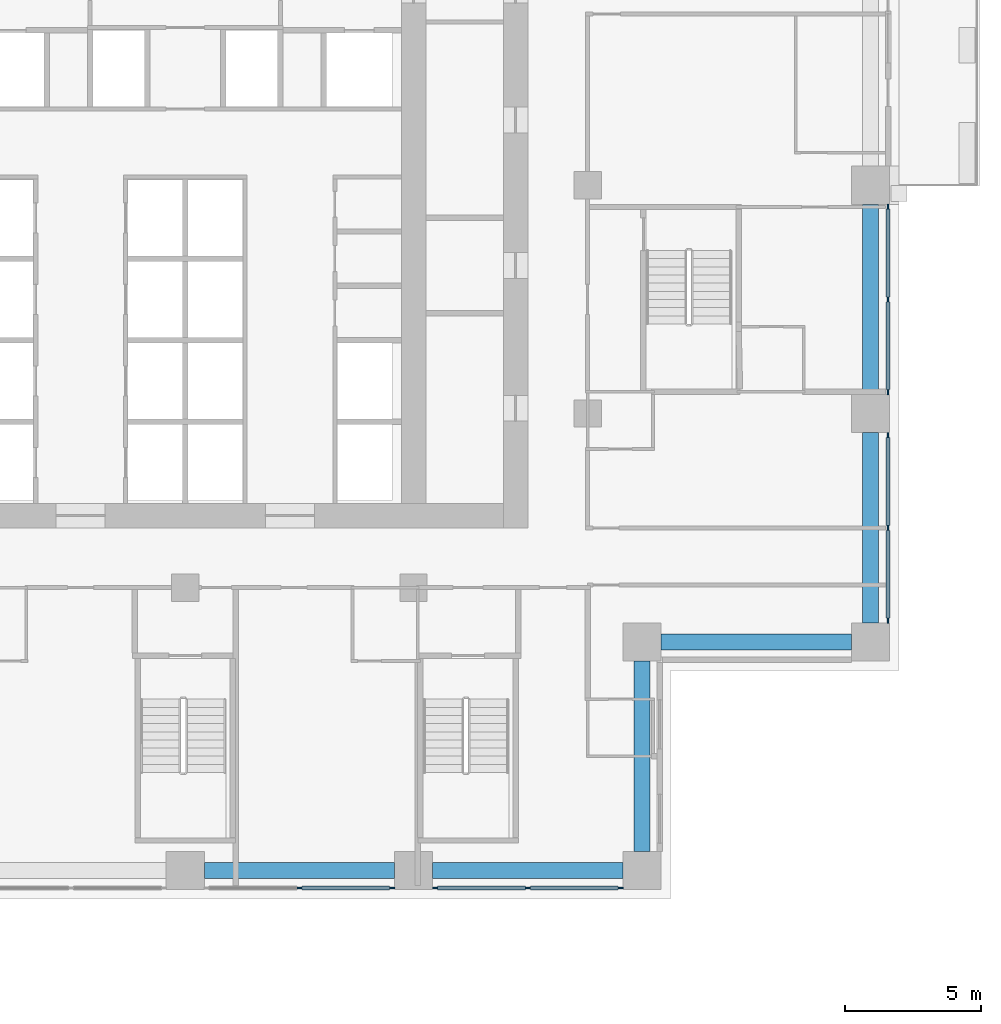
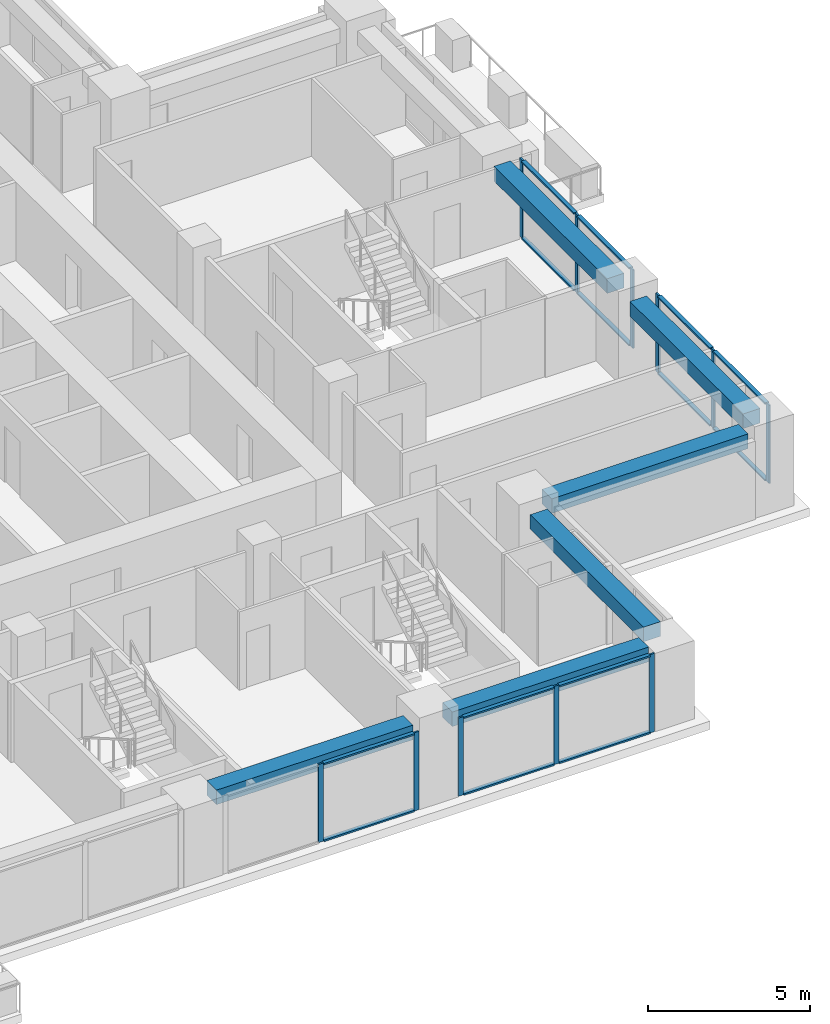
# One storey, part 4 of 16: 25 members, 6 beams, 4 elements without a shape of their own.
"""IFC4 building model written with IfcOpenShell, lengths in metres."""

from ifc_helpers import new_model, si_unit, direction, frame, origin, origin_2d, place, context, subcontext, project, spatial, rectangle, extrude, material, material_profile, profile_set, type_object, element, aggregate, save


model = new_model("IFC4")

# Units and contexts
model_context = context("Model", 3, precision=1e-05, world=origin(), true_north=direction((0.0, 1.0)))
body_context = subcontext(model_context, "Body", "Model", "MODEL_VIEW")
ifc_project = project(units=[si_unit("LENGTHUNIT", "METRE"), si_unit("AREAUNIT", "SQUARE_METRE"), si_unit("VOLUMEUNIT", "CUBIC_METRE"), si_unit("PLANEANGLEUNIT", "RADIAN"), si_unit("MASSUNIT", "GRAM", prefix="KILO")], contexts=[model_context])

# Site, building, storey
site_placement = place(None, origin())
site = spatial("IfcSite", under=ifc_project, at=site_placement, CompositionType="ELEMENT")
building_placement = place(site_placement, origin())
building = spatial("IfcBuilding", under=site, at=building_placement, Name="Vermilion Ogive Tower", CompositionType="ELEMENT")
storey_placement = place(building_placement, frame((0.0, 0.0, 72.449951171875)))
storey = spatial("IfcBuildingStorey", under=building, at=storey_placement, Name="L17", CompositionType="ELEMENT", Elevation=72.449951171875)

# Curtain wall, members
ifc_material_1 = material(Name="Low-iron laminated glazing in aluminium frame", Category="aluminium")
curtain_wall_type = type_object("IfcCurtainWallType", Name="Curtain wall CW7", PredefinedType="NOTDEFINED", material=ifc_material_1)
curtain_wall_1_placement = place(storey_placement, origin())
curtain_wall_1 = element("IfcCurtainWall", 1, at=curtain_wall_1_placement, inside=storey, type_object=curtain_wall_type, Name="Glazed skin S3", PredefinedType="NOTDEFINED")
ifc_material_2 = material(Name="Aluminium mullion", Category="aluminium")
ifc_material_profile_1 = material_profile(ifc_material_2, rectangle(XDim=0.06005859375, YDim=0.179931640625, at=origin_2d()), Name="AL 60x180")
ifc_profile_set_1 = profile_set([ifc_material_profile_1], Name="Aluminium mullion")
member_type_1 = type_object("IfcMemberType", Name="CW7 mullion 60x180", PredefinedType="MULLION", material=ifc_profile_set_1)
member_1_placement = place(storey_placement, frame((4.199951171875, -21.64990234375, 0.0), z_axis=(0.0, 0.0, 1.0), x_axis=(0.0, 1.0, 0.0)))
member_1 = element("IfcMember", 2, at=member_1_placement, type_object=member_type_1, Name="CW7-S3 mullion 2", PredefinedType="MULLION", context=body_context, shape_type="SweptSolid", body=[
    extrude(rectangle(XDim=0.06005859375, YDim=0.179931640625, at=origin_2d()), origin(), (0.0, 0.0, 1.0), 2.949951171875),
])
member_2_placement = place(storey_placement, frame((7.610107421875, -21.64990234375, 0.0), z_axis=(0.0, 0.0, 1.0), x_axis=(0.0, 1.0, 0.0)))
member_2 = element("IfcMember", 3, at=member_2_placement, type_object=member_type_1, Name="CW7-S3 mullion 3", PredefinedType="MULLION", context=body_context, shape_type="SweptSolid", body=[
    extrude(rectangle(XDim=0.06005859375, YDim=0.179931640625, at=origin_2d()), origin(), (0.0, 0.0, 1.0), 2.949951171875),
])

curtain_wall_2_placement = place(storey_placement, origin())
curtain_wall_2 = element("IfcCurtainWall", 4, at=curtain_wall_2_placement, inside=storey, type_object=curtain_wall_type, Name="Glazed skin S4", PredefinedType="NOTDEFINED")
member_3_placement = place(storey_placement, frame((9.18994140625, -21.64990234375, 0.0), z_axis=(0.0, 0.0, 1.0), x_axis=(0.0, 1.0, 0.0)))
member_3 = element("IfcMember", 5, at=member_3_placement, type_object=member_type_1, Name="CW7-S4 mullion 1", PredefinedType="MULLION", context=body_context, shape_type="SweptSolid", body=[
    extrude(rectangle(XDim=0.06005859375, YDim=0.179931640625, at=origin_2d()), origin(), (0.0, 0.0, 1.0), 2.949951171875),
])
member_4_placement = place(storey_placement, frame((12.60009765625, -21.64990234375, 0.0), z_axis=(0.0, 0.0, 1.0), x_axis=(0.0, 1.0, 0.0)))
member_4 = element("IfcMember", 6, at=member_4_placement, type_object=member_type_1, Name="CW7-S4 mullion 2", PredefinedType="MULLION", context=body_context, shape_type="SweptSolid", body=[
    extrude(rectangle(XDim=0.06005859375, YDim=0.179931640625, at=origin_2d()), origin(), (0.0, 0.0, 1.0), 2.949951171875),
])
member_5_placement = place(storey_placement, frame((16.010009765625, -21.64990234375, 0.0), z_axis=(0.0, 0.0, 1.0), x_axis=(0.0, 1.0, 0.0)))
member_5 = element("IfcMember", 7, at=member_5_placement, type_object=member_type_1, Name="CW7-S4 mullion 3", PredefinedType="MULLION", context=body_context, shape_type="SweptSolid", body=[
    extrude(rectangle(XDim=0.06005859375, YDim=0.179931640625, at=origin_2d()), origin(), (0.0, 0.0, 1.0), 2.949951171875),
])

curtain_wall_3_placement = place(storey_placement, origin())
curtain_wall_3 = element("IfcCurtainWall", 8, at=curtain_wall_3_placement, inside=storey, type_object=curtain_wall_type, Name="Glazed skin E1", PredefinedType="NOTDEFINED")
member_6_placement = place(storey_placement, frame((25.85009765625, -11.81005859375, 0.0), z_axis=(0.0, 0.0, 1.0), x_axis=(-1.0, 0.0, 0.0)))
member_6 = element("IfcMember", 9, at=member_6_placement, type_object=member_type_1, Name="CW7-E1 mullion 1", PredefinedType="MULLION", context=body_context, shape_type="SweptSolid", body=[
    extrude(rectangle(XDim=0.06005859375, YDim=0.179931640625, at=origin_2d()), origin(), (0.0, 0.0, 1.0), 2.949951171875),
])
member_7_placement = place(storey_placement, frame((25.85009765625, -8.39990234375, 0.0), z_axis=(0.0, 0.0, 1.0), x_axis=(-1.0, 0.0, 0.0)))
member_7 = element("IfcMember", 10, at=member_7_placement, type_object=member_type_1, Name="CW7-E1 mullion 2", PredefinedType="MULLION", context=body_context, shape_type="SweptSolid", body=[
    extrude(rectangle(XDim=0.06005859375, YDim=0.179931640625, at=origin_2d()), origin(), (0.0, 0.0, 1.0), 2.949951171875),
])
member_8_placement = place(storey_placement, frame((25.85009765625, -4.989990234375, 0.0), z_axis=(0.0, 0.0, 1.0), x_axis=(-1.0, 0.0, 0.0)))
member_8 = element("IfcMember", 11, at=member_8_placement, type_object=member_type_1, Name="CW7-E1 mullion 3", PredefinedType="MULLION", context=body_context, shape_type="SweptSolid", body=[
    extrude(rectangle(XDim=0.06005859375, YDim=0.179931640625, at=origin_2d()), origin(), (0.0, 0.0, 1.0), 2.949951171875),
])

curtain_wall_4_placement = place(storey_placement, origin())
curtain_wall_4 = element("IfcCurtainWall", 12, at=curtain_wall_4_placement, inside=storey, type_object=curtain_wall_type, Name="Glazed skin E2", PredefinedType="NOTDEFINED")
member_9_placement = place(storey_placement, frame((25.85009765625, -3.409912109375, 0.0), z_axis=(0.0, 0.0, 1.0), x_axis=(-1.0, 0.0, 0.0)))
member_9 = element("IfcMember", 13, at=member_9_placement, type_object=member_type_1, Name="CW7-E2 mullion 1", PredefinedType="MULLION", context=body_context, shape_type="SweptSolid", body=[
    extrude(rectangle(XDim=0.06005859375, YDim=0.179931640625, at=origin_2d()), origin(), (0.0, 0.0, 1.0), 2.949951171875),
])
member_10_placement = place(storey_placement, frame((25.85009765625, 0.0, 0.0), z_axis=(0.0, 0.0, 1.0), x_axis=(-1.0, 0.0, 0.0)))
member_10 = element("IfcMember", 14, at=member_10_placement, type_object=member_type_1, Name="CW7-E2 mullion 2", PredefinedType="MULLION", context=body_context, shape_type="SweptSolid", body=[
    extrude(rectangle(XDim=0.06005859375, YDim=0.179931640625, at=origin_2d()), origin(), (0.0, 0.0, 1.0), 2.949951171875),
])
member_11_placement = place(storey_placement, frame((25.85009765625, 3.409912109375, 0.0), z_axis=(0.0, 0.0, 1.0), x_axis=(-1.0, 0.0, 0.0)))
member_11 = element("IfcMember", 15, at=member_11_placement, type_object=member_type_1, Name="CW7-E2 mullion 3", PredefinedType="MULLION", context=body_context, shape_type="SweptSolid", body=[
    extrude(rectangle(XDim=0.06005859375, YDim=0.179931640625, at=origin_2d()), origin(), (0.0, 0.0, 1.0), 2.949951171875),
])

# Member
ifc_material_3 = material(Name="Aluminium transom", Category="aluminium")
ifc_material_profile_2 = material_profile(ifc_material_3, rectangle(XDim=0.139892578125, YDim=0.06005859375, at=origin_2d()), Name="AL 60x140")
ifc_profile_set_2 = profile_set([ifc_material_profile_2], Name="Aluminium transom")
member_type_2 = type_object("IfcMemberType", Name="CW7 transom 60x140", PredefinedType="USERDEFINED", material=ifc_profile_set_2)
member_12_placement = place(storey_placement, frame((4.2900390625, -21.64990234375, 0.030029296875), z_axis=(1.0, 0.0, 0.0), x_axis=(0.0, 1.0, 0.0)))
member_12 = element("IfcMember", 16, at=member_12_placement, type_object=member_type_2, Name="CW7-S3 transom 2.1", ObjectType="TRANSOM", PredefinedType="USERDEFINED", context=body_context, shape_type="SweptSolid", body=[
    extrude(rectangle(XDim=0.139892578125, YDim=0.06005859375, at=origin_2d()), origin(), (0.0, 0.0, 1.0), 3.22998046875),
])

member_13_placement = place(storey_placement, frame((4.2900390625, -21.64990234375, 2.920166015625), z_axis=(1.0, 0.0, 0.0), x_axis=(0.0, 1.0, 0.0)))
member_13 = element("IfcMember", 17, at=member_13_placement, type_object=member_type_2, Name="CW7-S3 transom 2.2", ObjectType="TRANSOM", PredefinedType="USERDEFINED", context=body_context, shape_type="SweptSolid", body=[
    extrude(rectangle(XDim=0.139892578125, YDim=0.06005859375, at=origin_2d()), origin(), (0.0, 0.0, 1.0), 3.22998046875),
])

aggregate(curtain_wall_1, [member_1, member_2, member_12, member_13])

member_14_placement = place(storey_placement, frame((9.280029296875, -21.64990234375, 0.030029296875), z_axis=(1.0, 0.0, 0.0), x_axis=(0.0, 1.0, 0.0)))
member_14 = element("IfcMember", 18, at=member_14_placement, type_object=member_type_2, Name="CW7-S4 transom 1.1", ObjectType="TRANSOM", PredefinedType="USERDEFINED", context=body_context, shape_type="SweptSolid", body=[
    extrude(rectangle(XDim=0.139892578125, YDim=0.06005859375, at=origin_2d()), origin(), (0.0, 0.0, 1.0), 3.22998046875),
])

member_15_placement = place(storey_placement, frame((9.280029296875, -21.64990234375, 2.920166015625), z_axis=(1.0, 0.0, 0.0), x_axis=(0.0, 1.0, 0.0)))
member_15 = element("IfcMember", 19, at=member_15_placement, type_object=member_type_2, Name="CW7-S4 transom 1.2", ObjectType="TRANSOM", PredefinedType="USERDEFINED", context=body_context, shape_type="SweptSolid", body=[
    extrude(rectangle(XDim=0.139892578125, YDim=0.06005859375, at=origin_2d()), origin(), (0.0, 0.0, 1.0), 3.22998046875),
])

member_16_placement = place(storey_placement, frame((12.68994140625, -21.64990234375, 0.030029296875), z_axis=(1.0, 0.0, 0.0), x_axis=(0.0, 1.0, 0.0)))
member_16 = element("IfcMember", 20, at=member_16_placement, type_object=member_type_2, Name="CW7-S4 transom 2.1", ObjectType="TRANSOM", PredefinedType="USERDEFINED", context=body_context, shape_type="SweptSolid", body=[
    extrude(rectangle(XDim=0.139892578125, YDim=0.06005859375, at=origin_2d()), origin(), (0.0, 0.0, 1.0), 3.22998046875),
])

member_17_placement = place(storey_placement, frame((12.68994140625, -21.64990234375, 2.920166015625), z_axis=(1.0, 0.0, 0.0), x_axis=(0.0, 1.0, 0.0)))
member_17 = element("IfcMember", 21, at=member_17_placement, type_object=member_type_2, Name="CW7-S4 transom 2.2", ObjectType="TRANSOM", PredefinedType="USERDEFINED", context=body_context, shape_type="SweptSolid", body=[
    extrude(rectangle(XDim=0.139892578125, YDim=0.06005859375, at=origin_2d()), origin(), (0.0, 0.0, 1.0), 3.22998046875),
])

aggregate(curtain_wall_2, [member_3, member_4, member_5, member_14, member_15, member_16, member_17])

member_18_placement = place(storey_placement, frame((25.85009765625, -11.719970703125, 0.030029296875), z_axis=(0.0, 1.0, 0.0), x_axis=(-1.0, 0.0, 0.0)))
member_18 = element("IfcMember", 22, at=member_18_placement, type_object=member_type_2, Name="CW7-E1 transom 1.1", ObjectType="TRANSOM", PredefinedType="USERDEFINED", context=body_context, shape_type="SweptSolid", body=[
    extrude(rectangle(XDim=0.139892578125, YDim=0.06005859375, at=origin_2d()), origin(), (0.0, 0.0, 1.0), 3.22998046875),
])

member_19_placement = place(storey_placement, frame((25.85009765625, -11.719970703125, 2.920166015625), z_axis=(0.0, 1.0, 0.0), x_axis=(-1.0, 0.0, 0.0)))
member_19 = element("IfcMember", 23, at=member_19_placement, type_object=member_type_2, Name="CW7-E1 transom 1.2", ObjectType="TRANSOM", PredefinedType="USERDEFINED", context=body_context, shape_type="SweptSolid", body=[
    extrude(rectangle(XDim=0.139892578125, YDim=0.06005859375, at=origin_2d()), origin(), (0.0, 0.0, 1.0), 3.22998046875),
])

member_20_placement = place(storey_placement, frame((25.85009765625, -8.31005859375, 0.030029296875), z_axis=(0.0, 1.0, 0.0), x_axis=(-1.0, 0.0, 0.0)))
member_20 = element("IfcMember", 24, at=member_20_placement, type_object=member_type_2, Name="CW7-E1 transom 2.1", ObjectType="TRANSOM", PredefinedType="USERDEFINED", context=body_context, shape_type="SweptSolid", body=[
    extrude(rectangle(XDim=0.139892578125, YDim=0.06005859375, at=origin_2d()), origin(), (0.0, 0.0, 1.0), 3.22998046875),
])

member_21_placement = place(storey_placement, frame((25.85009765625, -8.31005859375, 2.920166015625), z_axis=(0.0, 1.0, 0.0), x_axis=(-1.0, 0.0, 0.0)))
member_21 = element("IfcMember", 25, at=member_21_placement, type_object=member_type_2, Name="CW7-E1 transom 2.2", ObjectType="TRANSOM", PredefinedType="USERDEFINED", context=body_context, shape_type="SweptSolid", body=[
    extrude(rectangle(XDim=0.139892578125, YDim=0.06005859375, at=origin_2d()), origin(), (0.0, 0.0, 1.0), 3.22998046875),
])

aggregate(curtain_wall_3, [member_6, member_7, member_8, member_18, member_19, member_20, member_21])

member_22_placement = place(storey_placement, frame((25.85009765625, -3.320068359375, 0.030029296875), z_axis=(0.0, 1.0, 0.0), x_axis=(-1.0, 0.0, 0.0)))
member_22 = element("IfcMember", 26, at=member_22_placement, type_object=member_type_2, Name="CW7-E2 transom 1.1", ObjectType="TRANSOM", PredefinedType="USERDEFINED", context=body_context, shape_type="SweptSolid", body=[
    extrude(rectangle(XDim=0.139892578125, YDim=0.06005859375, at=origin_2d()), origin(), (0.0, 0.0, 1.0), 3.22998046875),
])

member_23_placement = place(storey_placement, frame((25.85009765625, -3.320068359375, 2.920166015625), z_axis=(0.0, 1.0, 0.0), x_axis=(-1.0, 0.0, 0.0)))
member_23 = element("IfcMember", 27, at=member_23_placement, type_object=member_type_2, Name="CW7-E2 transom 1.2", ObjectType="TRANSOM", PredefinedType="USERDEFINED", context=body_context, shape_type="SweptSolid", body=[
    extrude(rectangle(XDim=0.139892578125, YDim=0.06005859375, at=origin_2d()), origin(), (0.0, 0.0, 1.0), 3.22998046875),
])

member_24_placement = place(storey_placement, frame((25.85009765625, 0.090087890625, 0.030029296875), z_axis=(0.0, 1.0, 0.0), x_axis=(-1.0, 0.0, 0.0)))
member_24 = element("IfcMember", 28, at=member_24_placement, type_object=member_type_2, Name="CW7-E2 transom 2.1", ObjectType="TRANSOM", PredefinedType="USERDEFINED", context=body_context, shape_type="SweptSolid", body=[
    extrude(rectangle(XDim=0.139892578125, YDim=0.06005859375, at=origin_2d()), origin(), (0.0, 0.0, 1.0), 3.22998046875),
])

member_25_placement = place(storey_placement, frame((25.85009765625, 0.090087890625, 2.920166015625), z_axis=(0.0, 1.0, 0.0), x_axis=(-1.0, 0.0, 0.0)))
member_25 = element("IfcMember", 29, at=member_25_placement, type_object=member_type_2, Name="CW7-E2 transom 2.2", ObjectType="TRANSOM", PredefinedType="USERDEFINED", context=body_context, shape_type="SweptSolid", body=[
    extrude(rectangle(XDim=0.139892578125, YDim=0.06005859375, at=origin_2d()), origin(), (0.0, 0.0, 1.0), 3.22998046875),
])

aggregate(curtain_wall_4, [member_9, member_10, member_11, member_22, member_23, member_24, member_25])

# Beams
ifc_material_4 = material(Name="Concrete B45", Category="concrete")
ifc_material_profile_3 = material_profile(ifc_material_4, rectangle(XDim=0.60009765625, YDim=0.550048828125, at=origin_2d()), Name="600 x 550")
ifc_profile_set_3 = profile_set([ifc_material_profile_3], Name="Concrete B45")
beam_type = type_object("IfcBeamType", Name="Edge beam 600 x 550 B45", PredefinedType="BEAM", material=ifc_profile_set_3)
for number, where, z_axis, x_axis, name in (
    (30, (0.699951171875, -21.0, 2.675048828125), (1.0, 0.0, 0.0), (0.0, 1.0, 0.0), "L17-EB-3"),
    (31, (9.10009765625, -21.0, 2.675048828125), (1.0, 0.0, 0.0), (0.0, 1.0, 0.0), "L17-EB-4"),
    (32, (16.800048828125, -20.300048828125, 2.675048828125), (0.0, 1.0, 0.0), (-1.0, 0.0, 0.0), "L17-EB-5"),
    (33, (17.5, -12.60009765625, 2.675048828125), (1.0, 0.0, 0.0), (0.0, 1.0, 0.0), "L17-EB-6"),
    (34, (25.199951171875, -11.89990234375, 2.675048828125), (0.0, 1.0, 0.0), (-1.0, 0.0, 0.0), "L17-EB-7"),
    (35, (25.199951171875, -3.5, 2.675048828125), (0.0, 1.0, 0.0), (-1.0, 0.0, 0.0), "L17-EB-8"),
):
    element("IfcBeam", number, at=place(storey_placement, frame(where, z_axis=z_axis, x_axis=x_axis)), inside=storey, type_object=beam_type, Name=name, PredefinedType="BEAM", context=body_context, shape_type="SweptSolid", body=[
        extrude(rectangle(XDim=0.60009765625, YDim=0.550048828125, at=origin_2d()), origin(), (0.0, 0.0, 1.0), 7.0),
    ])

save(model, "model.ifc")
